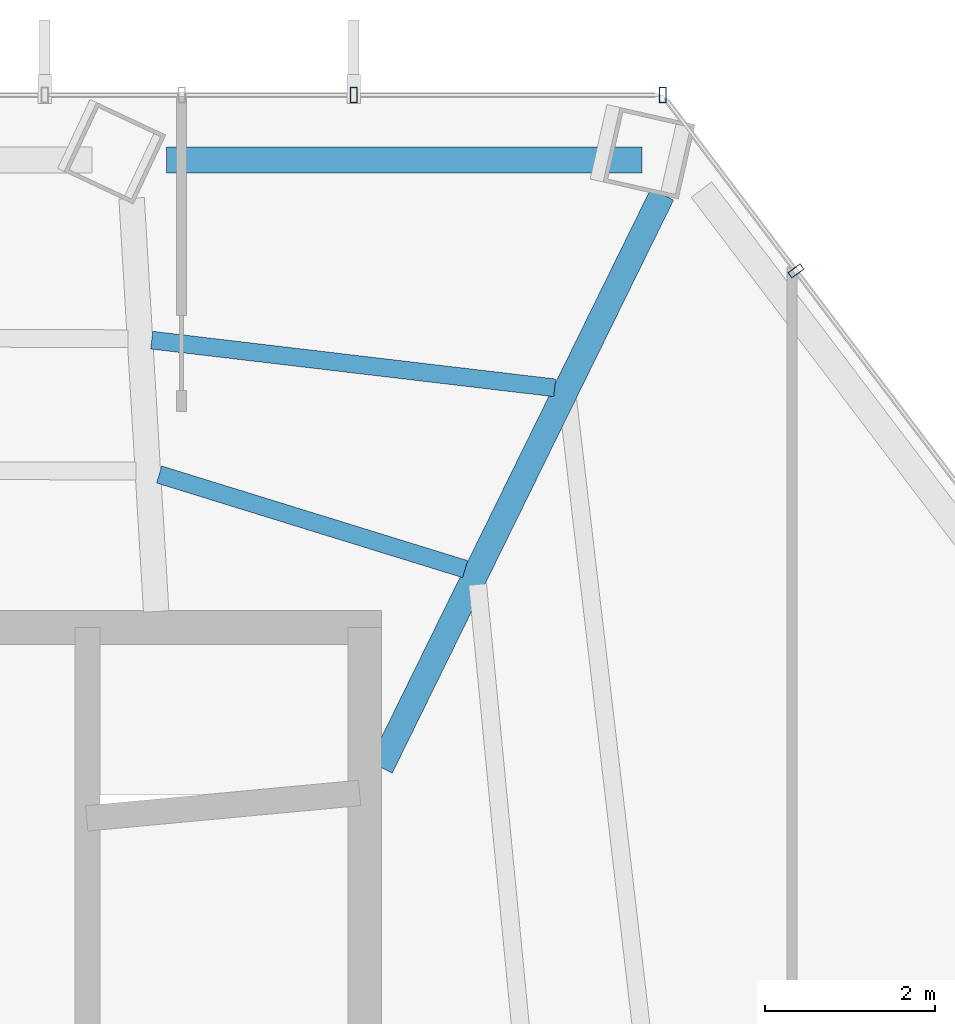
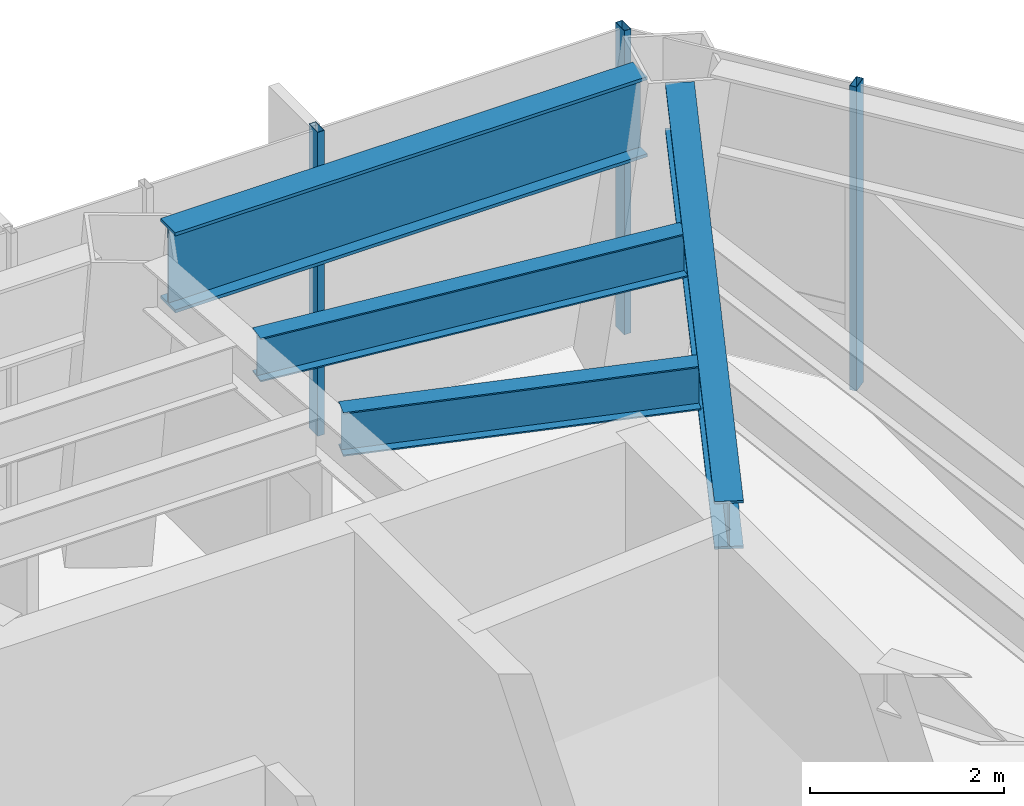
# One storey, part 21 of 27: 4 beams, 3 members, 2 elements without a shape of their own.
"""IFC4 building model written with IfcOpenShell, lengths in metres."""

from ifc_helpers import new_model, si_unit, direction, frame, origin, origin_2d, place, context, subcontext, project, spatial, hollow_rectangle, i_section, extrude, material, layer, layer_set, material_profile, profile_set, type_object, element, aggregate, save


model = new_model("IFC4")

# Units and contexts
model_context = context("Model", 3, precision=1e-05, world=origin(), true_north=direction((0.0, 1.0)))
body_context = subcontext(model_context, "Body", "Model", "MODEL_VIEW")
ifc_project = project(units=[si_unit("LENGTHUNIT", "METRE"), si_unit("AREAUNIT", "SQUARE_METRE"), si_unit("VOLUMEUNIT", "CUBIC_METRE"), si_unit("PLANEANGLEUNIT", "RADIAN"), si_unit("MASSUNIT", "GRAM", prefix="KILO")], contexts=[model_context])

# Site, building, storey
site_placement = place(None, origin())
site = spatial("IfcSite", under=ifc_project, at=site_placement, CompositionType="ELEMENT")
building_placement = place(site_placement, origin())
building = spatial("IfcBuilding", under=site, at=building_placement, Name="Zarrinselat Tower", CompositionType="ELEMENT")
storey_placement = place(building_placement, frame((0.0, 0.0, 80.580078125)))
storey = spatial("IfcBuildingStorey", under=building, at=storey_placement, Name="L19", CompositionType="ELEMENT", Elevation=80.580078125)

# Beams
ifc_material_1 = material(Name="Steel S355J2", Category="steel")
ifc_material_profile_1 = material_profile(ifc_material_1, i_section(OverallWidth=0.300048828125, OverallDepth=0.60009765625, WebThickness=0.015380859375, FlangeThickness=0.030029296875, at=origin_2d()), Name="HEB 600")
ifc_profile_set_1 = profile_set([ifc_material_profile_1], Name="Steel S355J2")
beam_type_1 = type_object("IfcBeamType", Name="BM-HEB600", PredefinedType="BEAM", material=ifc_profile_set_1)
beam_1_placement = place(storey_placement, frame((48.449951171875, 41.800048828125, 3.52001953125), z_axis=(0.440705958749, 0.897651523657, 0.0), x_axis=(-0.897651523657, 0.440705958749, 0.0)))
element("IfcBeam", 1, at=beam_1_placement, inside=storey, type_object=beam_type_1, Name="L19 Radial Primary Girder RG01", PredefinedType="BEAM", context=body_context, shape_type="SweptSolid", body=[
    extrude(i_section(OverallWidth=0.300048828125, OverallDepth=0.60009765625, WebThickness=0.015380859375, FlangeThickness=0.030029296875, at=origin_2d()), origin(), (0.0, 0.0, 1.0), 7.531982421875),
])
ifc_material_2 = material(Name="Steel S460M", Category="steel")
ifc_material_profile_2 = material_profile(ifc_material_2, i_section(OverallWidth=0.302001953125, OverallDepth=1.008056640625, WebThickness=0.02099609375, FlangeThickness=0.0400390625, at=origin_2d()), Name="HEM 1000")
ifc_profile_set_2 = profile_set([ifc_material_profile_2], Name="Steel S460M")
beam_type_2 = type_object("IfcBeamType", Name="BM-HEM1000", PredefinedType="BEAM", material=ifc_profile_set_2)
beam_2_placement = place(storey_placement, frame((45.921142578125, 48.966796875, 3.31591796875), z_axis=(1.0, 0.0, 0.0), x_axis=(0.0, 1.0, 0.0)))
element("IfcBeam", 2, at=beam_2_placement, inside=storey, type_object=beam_type_2, Name="L19 Perimeter Spandrel Girder SP01", PredefinedType="BEAM", context=body_context, shape_type="SweptSolid", body=[
    extrude(i_section(OverallWidth=0.302001953125, OverallDepth=1.008056640625, WebThickness=0.02099609375, FlangeThickness=0.0400390625, at=origin_2d()), origin(), (0.0, 0.0, 1.0), 5.609375),
])
ifc_material_3 = material(Name="Steel S355J2", Category="steel")
ifc_material_profile_3 = material_profile(ifc_material_3, i_section(OverallWidth=0.2099609375, OverallDepth=0.550048828125, WebThickness=0.010986328125, FlangeThickness=0.01708984375, at=origin_2d()), Name="IPE 550")
ifc_profile_set_3 = profile_set([ifc_material_profile_3], Name="Steel S355J2")
beam_type_3 = type_object("IfcBeamType", Name="BM-IPE550", PredefinedType="JOIST", material=ifc_profile_set_3)
beam_3_placement = place(storey_placement, frame((45.74755859375, 46.84130859375, 3.544921875), z_axis=(0.993073107699, -0.117498096859, 0.0), x_axis=(0.117498096859, 0.993073107699, 0.0)))
element("IfcBeam", 3, at=beam_3_placement, inside=storey, type_object=beam_type_3, Name="L19 Composite Floor Joist 6-1", PredefinedType="JOIST", context=body_context, shape_type="SweptSolid", body=[
    extrude(i_section(OverallWidth=0.2099609375, OverallDepth=0.550048828125, WebThickness=0.010986328125, FlangeThickness=0.01708984375, at=origin_2d()), origin(), (0.0, 0.0, 1.0), 4.787353515625),
])
beam_4_placement = place(storey_placement, frame((45.835205078125, 45.25634765625, 3.544921875), z_axis=(0.955364513976, -0.295429594718, 0.0), x_axis=(0.295429594718, 0.955364513976, 0.0)))
element("IfcBeam", 4, at=beam_4_placement, inside=storey, type_object=beam_type_3, Name="L19 Composite Floor Joist 6-2", PredefinedType="JOIST", context=body_context, shape_type="SweptSolid", body=[
    extrude(i_section(OverallWidth=0.2099609375, OverallDepth=0.550048828125, WebThickness=0.010986328125, FlangeThickness=0.01708984375, at=origin_2d()), origin(), (0.0, 0.0, 1.0), 3.7783203125),
])

# Curtain wall, members
ifc_material_4 = material(Name="Extruded Aluminium Alloy EN AW-6063 T6", Category="aluminium")
ifc_layer = layer(ifc_material_4, 0.18505859375)
ifc_layer_set = layer_set([ifc_layer], Name="Extruded Aluminium Alloy EN AW-6063 T6")
curtain_wall_type = type_object("IfcCurtainWallType", Name="CWS-OFF", PredefinedType="NOTDEFINED", material=ifc_layer_set)
curtain_wall_1_placement = place(storey_placement, origin())
curtain_wall_1 = element("IfcCurtainWall", 5, at=curtain_wall_1_placement, inside=storey, type_object=curtain_wall_type, Name="L19 Unitised Curtain Wall CW-L19-E01", PredefinedType="NOTDEFINED")
ifc_material_5 = material(Name="Extruded Aluminium Alloy EN AW-6063 T6", Category="aluminium")
ifc_material_profile_4 = material_profile(ifc_material_5, hollow_rectangle(XDim=0.080078125, YDim=0.179931640625, WallThickness=0.0048828125, at=origin_2d()), Name="RHS 180x80x5")
ifc_profile_set_4 = profile_set([ifc_material_profile_4], Name="Extruded Aluminium Alloy EN AW-6063 T6")
member_type = type_object("IfcMemberType", Name="MEM-CW-MUL", PredefinedType="MULLION", material=ifc_profile_set_4)
member_1_placement = place(storey_placement, frame((51.776123046875, 49.7333984375, 0.0), z_axis=(0.0, 0.0, 1.0), x_axis=(-1.0, 0.0, 0.0)))
member_1 = element("IfcMember", 6, at=member_1_placement, type_object=member_type, Name="CW-L19-E01 Mullion 0", PredefinedType="MULLION", context=body_context, shape_type="SweptSolid", body=[
    extrude(hollow_rectangle(XDim=0.080078125, YDim=0.179931640625, WallThickness=0.0048828125, at=origin_2d()), origin(), (0.0, 0.0, 1.0), 3.81982421875),
])
member_2_placement = place(storey_placement, frame((48.130859375, 49.7333984375, 0.0), z_axis=(0.0, 0.0, 1.0), x_axis=(-1.0, 0.0, 0.0)))
member_2 = element("IfcMember", 7, at=member_2_placement, type_object=member_type, Name="CW-L19-E01 Mullion 1", PredefinedType="MULLION", context=body_context, shape_type="SweptSolid", body=[
    extrude(hollow_rectangle(XDim=0.080078125, YDim=0.179931640625, WallThickness=0.0048828125, at=origin_2d()), origin(), (0.0, 0.0, 1.0), 3.81982421875),
])
aggregate(curtain_wall_1, [member_1, member_2])

# Curtain wall, member
curtain_wall_2_placement = place(storey_placement, origin())
curtain_wall_2 = element("IfcCurtainWall", 8, at=curtain_wall_2_placement, inside=storey, type_object=curtain_wall_type, Name="L19 Unitised Curtain Wall CW-L19-E06", PredefinedType="NOTDEFINED")
member_3_placement = place(storey_placement, frame((53.347900390625, 47.65869140625, 0.0), z_axis=(0.0, 0.0, 1.0), x_axis=(-0.603856545426, 0.797093013736, 0.0)))
member_3 = element("IfcMember", 9, at=member_3_placement, type_object=member_type, Name="CW-L19-E06 Mullion 4", PredefinedType="MULLION", context=body_context, shape_type="SweptSolid", body=[
    extrude(hollow_rectangle(XDim=0.080078125, YDim=0.179931640625, WallThickness=0.0048828125, at=origin_2d()), origin(), (0.0, 0.0, 1.0), 3.81982421875),
])
aggregate(curtain_wall_2, [member_3])

save(model, "model.ifc")
